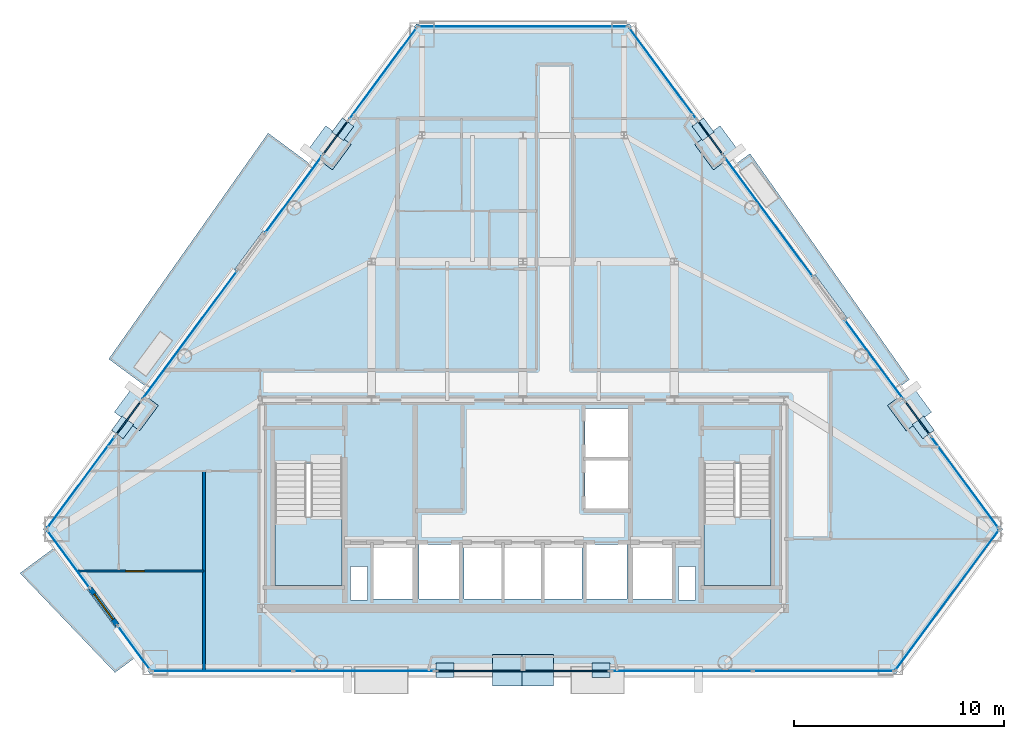
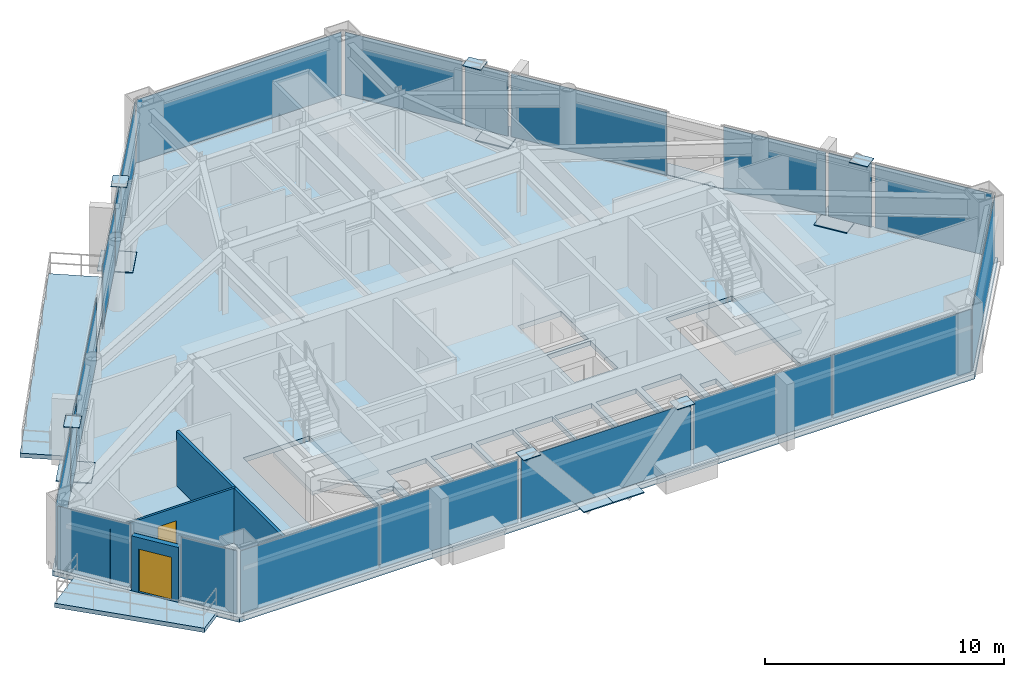
# One storey, part 6 of 11: 33 plates, 6 slabs, 3 walls, 2 doors, 2 openings, 21 elements without a shape of their own.
"""IFC4 building model written with IfcOpenShell, lengths in metres."""

from ifc_helpers import new_model, si_unit, direction, frame, frame_2d, origin, origin_2d, place, context, subcontext, project, spatial, polyline, rectangle, outline, extrude, source, transform, mapped, material, layer, layer_set, type_object, type_shapes, element, fill, aggregate, save


model = new_model("IFC4")

# Units and contexts
model_context = context("Model", 3, precision=1e-05, world=origin(), true_north=direction((0.0, 1.0)))
body_context = subcontext(model_context, "Body", "Model", "MODEL_VIEW")
ifc_project = project(units=[si_unit("LENGTHUNIT", "METRE"), si_unit("AREAUNIT", "SQUARE_METRE"), si_unit("VOLUMEUNIT", "CUBIC_METRE"), si_unit("PLANEANGLEUNIT", "RADIAN"), si_unit("MASSUNIT", "GRAM", prefix="KILO")], contexts=[model_context])

# Site, building, storey
site_placement = place(None, origin())
site = spatial("IfcSite", under=ifc_project, at=site_placement, CompositionType="ELEMENT")
building_placement = place(site_placement, origin())
building = spatial("IfcBuilding", under=site, at=building_placement, Name="Talgorran Terracotta Tower", CompositionType="ELEMENT")
storey_placement = place(building_placement, frame((0.0, 0.0, 150.89990234375)))
storey = spatial("IfcBuildingStorey", under=building, at=storey_placement, Name="L39", CompositionType="ELEMENT", Elevation=150.89990234375)

# Plates
ifc_material_1 = material(Name="Steel Grade 350 (350L0)", Category="steel")
ifc_layer_1 = layer(ifc_material_1, 0.035888671875, Name="PL_CAP_MN06")
ifc_layer_set_1 = layer_set([ifc_layer_1], Name="Steel Grade 350 (350L0)")
plate_type_1 = type_object("IfcPlateType", Name="PL_CAP_MN06", PredefinedType="USERDEFINED", material=ifc_layer_set_1)
for number, where, z_axis, x_axis, name in (
    (1, (-3.709716796875, -17.034423828125, 3.322265625), (0.0, 0.0, 1.0), (-1.0, 0.0, 0.0), "L39 Diagonal Frame End Cap SWF Top"),
    (2, (3.709716796875, -17.034423828125, 3.322265625), (0.0, 0.0, 1.0), (1.0, 0.0, 0.0), "L39 Diagonal Frame End Cap SEF Top"),
    (3, (19.037353515625, -5.48583984375, 3.322265625), (0.0, 0.0, 1.0), (0.593980663821, -0.804479316705, 0.0), "L39 Diagonal Frame End Cap NEL Top"),
    (4, (8.56640625, 8.6923828125, 3.322265625), (0.0, 0.0, 1.0), (-0.593980663821, 0.804479316705, 0.0), "L39 Diagonal Frame End Cap NEU Top"),
    (5, (-8.56640625, 8.6923828125, 3.322265625), (0.0, 0.0, 1.0), (0.593980663821, 0.804479316705, 0.0), "L39 Diagonal Frame End Cap NWU Top"),
    (6, (-19.037353515625, -5.48583984375, 3.322265625), (0.0, 0.0, 1.0), (-0.593980663821, -0.804479316705, 0.0), "L39 Diagonal Frame End Cap NWL Top"),
):
    element("IfcPlate", number, at=place(storey_placement, frame(where, z_axis=z_axis, x_axis=x_axis)), inside=storey, type_object=plate_type_1, Name=name, ObjectType="CAP PLATE", PredefinedType="USERDEFINED", context=body_context, shape_type="SweptSolid", body=[
        extrude(rectangle(XDim=0.840087890625, YDim=0.679931640625, at=origin_2d()), origin(), (0.0, 0.0, 1.0), 0.035888671875),
    ])
ifc_layer_2 = layer(ifc_material_1, 0.054931640625, Name="PL_NODE_MN02")
ifc_layer_set_2 = layer_set([ifc_layer_2], Name="Steel Grade 350 (350L0)")
plate_type_2 = type_object("IfcPlateType", Name="PL_NODE_MN02", PredefinedType="USERDEFINED", material=ifc_layer_set_2)
for number, where, z_axis, x_axis, name in (
    (7, (-0.70654296875, -17.034423828125, -0.017578125), (0.0, 0.0, 1.0), (-1.0, 0.0, 0.0), "L39 Diagonal Frame End Cap SWF Bot"),
    (8, (0.70654296875, -17.034423828125, -0.017578125), (0.0, 0.0, 1.0), (1.0, 0.0, 0.0), "L39 Diagonal Frame End Cap SEF Bot"),
    (9, (18.385009765625, -4.6025390625, -0.017578125), (0.0, 0.0, 1.0), (0.593980663821, -0.804479316705, 0.0), "L39 Diagonal Frame End Cap NEL Bot"),
    (10, (9.218505859375, 7.809326171875, -0.017578125), (0.0, 0.0, 1.0), (-0.593980663821, 0.804479316705, 0.0), "L39 Diagonal Frame End Cap NEU Bot"),
    (11, (-9.218505859375, 7.809326171875, -0.017578125), (0.0, 0.0, 1.0), (0.593980663821, 0.804479316705, 0.0), "L39 Diagonal Frame End Cap NWU Bot"),
    (12, (-18.385009765625, -4.6025390625, -0.017578125), (0.0, 0.0, 1.0), (-0.593980663821, -0.804479316705, 0.0), "L39 Diagonal Frame End Cap NWL Bot"),
):
    element("IfcPlate", number, at=place(storey_placement, frame(where, z_axis=z_axis, x_axis=x_axis)), inside=storey, type_object=plate_type_2, Name=name, ObjectType="NODE PLATE", PredefinedType="USERDEFINED", context=body_context, shape_type="SweptSolid", body=[
        extrude(rectangle(XDim=1.5, YDim=1.5, at=origin_2d()), origin(), (0.0, 0.0, 1.0), 0.054931640625),
    ])

# Slabs
ifc_material_2 = material(Name="Concrete C40/50", Category="concrete")
ifc_layer_3 = layer(ifc_material_2, 0.219970703125, Name="SL_BALCONY_220")
ifc_layer_set_3 = layer_set([ifc_layer_3], Name="Concrete C40/50")
slab_type_1 = type_object("IfcSlabType", Name="SL_BALCONY_220", PredefinedType="FLOOR", material=ifc_layer_set_3)
slab_1_placement = place(storey_placement, frame((0.0, 0.0, -0.219970703125)))
element("IfcSlab", 13, at=slab_1_placement, inside=storey, type_object=slab_type_1, Name="L39 Outdoor Wave Balcony BAL-NE", PredefinedType="FLOOR", context=body_context, shape_type="SweptSolid", body=[
    extrude(outline(polyline([(10.049560546875, 6.978759765625), (17.85791015625, -3.59423828125), (18.380615234375, -3.2080078125), (10.7998046875, 7.53271484375), (10.049560546875, 6.978759765625)])), origin(), (0.0, 0.0, 1.0), 0.219970703125),
])
slab_2_placement = place(storey_placement, frame((0.0, 0.0, -0.219970703125)))
element("IfcSlab", 14, at=slab_2_placement, inside=storey, type_object=slab_type_1, Name="L39 Outdoor Wave Balcony BAL-NW", PredefinedType="FLOOR", context=body_context, shape_type="SweptSolid", body=[
    extrude(outline(polyline([(-17.85791015625, -3.59423828125), (-10.049560546875, 6.978759765625), (-12.1171875, 8.505615234375), (-19.69775390625, -2.2353515625), (-17.85791015625, -3.59423828125)])), origin(), (0.0, 0.0, 1.0), 0.219970703125),
])
slab_3_placement = place(storey_placement, frame((0.0, 0.0, -0.219970703125)))
element("IfcSlab", 15, at=slab_3_placement, inside=storey, type_object=slab_type_1, Name="L39 Outdoor Wave Balcony BAL-SW", PredefinedType="FLOOR", context=body_context, shape_type="SweptSolid", body=[
    extrude(outline(polyline([(-18.3662109375, -16.379638671875), (-22.218505859375, -11.163818359375), (-23.918701171875, -12.419189453125), (-19.401611328125, -17.144287109375), (-18.3662109375, -16.379638671875)])), origin(), (0.0, 0.0, 1.0), 0.219970703125),
])

# Stair, slab
stair_type = type_object("IfcStairType", Name="ST_FIRE_SCISSOR", PredefinedType="HALF_TURN_STAIR", material=ifc_material_2)
stair_1_placement = place(storey_placement, origin())
stair_1 = element("IfcStair", 16, at=stair_1_placement, inside=storey, type_object=stair_type, Name="L39 West Protected Fire Stair ST-01", PredefinedType="HALF_TURN_STAIR")
ifc_layer_4 = layer(ifc_material_2, 0.199951171875, Name="SL_LANDING_200")
ifc_layer_set_4 = layer_set([ifc_layer_4], Name="Concrete C40/50")
slab_type_2 = type_object("IfcSlabType", Name="SL_LANDING_200", PredefinedType="LANDING", material=ifc_layer_set_4)
slab_4_placement = place(storey_placement, frame((0.0, 0.0, 1.60009765625)))
slab_4 = element("IfcSlab", 17, at=slab_4_placement, type_object=slab_type_2, Name="ST-01 landing 1", PredefinedType="LANDING", context=body_context, shape_type="SweptSolid", body=[
    extrude(outline(polyline([(-11.800048828125, -9.719970703125), (-11.800048828125, -13.0), (-8.60009765625, -13.0), (-8.60009765625, -9.719970703125), (-11.800048828125, -9.719970703125)])), origin(), (0.0, 0.0, 1.0), 0.199951171875),
])
aggregate(stair_1, [slab_4])

stair_2_placement = place(storey_placement, origin())
stair_2 = element("IfcStair", 18, at=stair_2_placement, inside=storey, type_object=stair_type, Name="L39 East Protected Fire Stair ST-02", PredefinedType="HALF_TURN_STAIR")
slab_5_placement = place(storey_placement, frame((0.0, 0.0, 1.60009765625)))
slab_5 = element("IfcSlab", 19, at=slab_5_placement, type_object=slab_type_2, Name="ST-02 landing 1", PredefinedType="LANDING", context=body_context, shape_type="SweptSolid", body=[
    extrude(outline(polyline([(8.60009765625, -9.719970703125), (8.60009765625, -13.0), (11.800048828125, -13.0), (11.800048828125, -9.719970703125), (8.60009765625, -9.719970703125)])), origin(), (0.0, 0.0, 1.0), 0.199951171875),
])
aggregate(stair_2, [slab_5])

# Slab
ifc_layer_5 = layer(ifc_material_2, 0.25, Name="SL_TOWER_250")
ifc_layer_set_5 = layer_set([ifc_layer_5], Name="Concrete C40/50")
slab_type_3 = type_object("IfcSlabType", Name="SL_TOWER_250", PredefinedType="FLOOR", material=ifc_layer_set_5)
slab_6_placement = place(storey_placement, frame((0.0, 0.0, -0.25)))
element("IfcSlab", 20, at=slab_6_placement, inside=storey, type_object=slab_type_3, Name="Storey L39 Structural Floor Slab", PredefinedType="FLOOR", context=body_context, shape_type="SweptSolid", body=[
    extrude(outline(polyline([(-22.814697265625, -10.331298828125), (-17.74609375, -17.1943359375), (17.74609375, -17.1943359375), (22.814697265625, -10.331298828125), (5.068603515625, 13.697998046875), (-5.068603515625, 13.697998046875), (-22.814697265625, -10.331298828125)]), holes=[polyline([(-11.800048828125, -7.199951171875), (-11.800048828125, -13.0), (-8.60009765625, -13.0), (-8.60009765625, -7.199951171875), (-11.800048828125, -7.199951171875)]), polyline([(8.60009765625, -7.199951171875), (8.60009765625, -13.0), (11.800048828125, -13.0), (11.800048828125, -7.199951171875), (8.60009765625, -7.199951171875)]), polyline([(-7.10009765625, -13.64990234375), (-5.199951171875, -13.64990234375), (-5.199951171875, -11.050048828125), (-7.10009765625, -11.050048828125), (-7.10009765625, -13.64990234375)]), polyline([(5.199951171875, -13.64990234375), (7.10009765625, -13.64990234375), (7.10009765625, -11.050048828125), (5.199951171875, -11.050048828125), (5.199951171875, -13.64990234375)]), polyline([(3.0, -13.64990234375), (4.949951171875, -13.64990234375), (4.949951171875, -11.050048828125), (3.0, -11.050048828125), (3.0, -13.64990234375)]), polyline([(-4.949951171875, -13.64990234375), (-3.0, -13.64990234375), (-3.0, -11.050048828125), (-4.949951171875, -11.050048828125), (-4.949951171875, -13.64990234375)]), polyline([(2.949951171875, -9.35009765625), (5.050048828125, -9.35009765625), (5.050048828125, -7.050048828125), (2.949951171875, -7.050048828125), (2.949951171875, -9.35009765625)]), polyline([(2.949951171875, -6.89990234375), (5.050048828125, -6.89990234375), (5.050048828125, -4.60009765625), (2.949951171875, -4.60009765625), (2.949951171875, -6.89990234375)]), polyline([(-2.800048828125, -13.64990234375), (-1.0, -13.64990234375), (-1.0, -11.050048828125), (-2.800048828125, -11.050048828125), (-2.800048828125, -13.64990234375)]), polyline([(-0.89990234375, -13.64990234375), (0.89990234375, -13.64990234375), (0.89990234375, -11.050048828125), (-0.89990234375, -11.050048828125), (-0.89990234375, -13.64990234375)]), polyline([(1.0, -13.64990234375), (2.800048828125, -13.64990234375), (2.800048828125, -11.050048828125), (1.0, -11.050048828125), (1.0, -13.64990234375)]), polyline([(-8.199951171875, -13.699951171875), (-7.39990234375, -13.699951171875), (-7.39990234375, -12.10009765625), (-8.199951171875, -12.10009765625), (-8.199951171875, -13.699951171875)]), polyline([(7.39990234375, -13.699951171875), (8.199951171875, -13.699951171875), (8.199951171875, -12.10009765625), (7.39990234375, -12.10009765625), (7.39990234375, -13.699951171875)])]), origin(), (0.0, 0.0, 1.0), 0.25),
])

# Curtain wall, plate
ifc_material_3 = material(Name="Unitised Low-E Double Glazing", Category="glass")
ifc_layer_6 = layer(ifc_material_3, 0.199951171875, Name="CW_SYS2_RES_LOW")
ifc_layer_set_6 = layer_set([ifc_layer_6], Name="Unitised Low-E Double Glazing")
curtain_wall_type = type_object("IfcCurtainWallType", Name="CW_SYS2_RES_LOW", PredefinedType="NOTDEFINED", material=ifc_layer_set_6)
curtain_wall_1_placement = place(storey_placement, origin())
curtain_wall_1 = element("IfcCurtainWall", 21, at=curtain_wall_1_placement, inside=storey, type_object=curtain_wall_type, Name="CW-L39-F10", PredefinedType="NOTDEFINED")
ifc_material_4 = material(Name="Low-E Laminated Vision Glass", Category="glass")
ifc_layer_7 = layer(ifc_material_4, 0.028076171875, Name="PLT_VISION_28")
ifc_layer_set_7 = layer_set([ifc_layer_7], Name="Low-E Laminated Vision Glass")
plate_type_3 = type_object("IfcPlateType", Name="PLT_VISION_28", PredefinedType="CURTAIN_PANEL", material=ifc_layer_set_7)
shared_shape_1 = source(origin(), body_context, "Body", "SweptSolid", [
    extrude(rectangle(XDim=3.335693359375, YDim=0.028076171875, at=origin_2d()), origin(), (0.0, 0.0, 1.0), 3.219970703125),
])
plate_1_placement = place(storey_placement, frame((-21.6123046875, -11.75732421875, 0.06494140625), z_axis=(0.0, 0.0, 1.0), x_axis=(0.594069742369, -0.804413538674, 0.0)))
plate_1 = element("IfcPlate", 22, at=plate_1_placement, type_object=plate_type_3, Name="CW-L39-10 panel 1.1", PredefinedType="CURTAIN_PANEL", context=body_context, shape_type="MappedRepresentation", body=[
    mapped(shared_shape_1, transform((0.0, 0.0, 0.0), scale=1.0)),
])
aggregate(curtain_wall_1, [plate_1])

curtain_wall_2_placement = place(storey_placement, origin())
curtain_wall_2 = element("IfcCurtainWall", 23, at=curtain_wall_2_placement, inside=storey, type_object=curtain_wall_type, Name="CW-L39-F11", PredefinedType="NOTDEFINED")
shared_shape_2 = source(origin(), body_context, "Body", "SweptSolid", [
    extrude(rectangle(XDim=2.546875, YDim=0.028076171875, at=origin_2d()), origin(), (0.0, 0.0, 1.0), 3.219970703125),
])
plate_2_placement = place(storey_placement, frame((-18.50439453125, -15.965576171875, 0.06494140625), z_axis=(0.0, 0.0, 1.0), x_axis=(0.594066457167, -0.804415964827, 0.0)))
plate_2 = element("IfcPlate", 24, at=plate_2_placement, type_object=plate_type_3, Name="CW-L39-11 panel 1.1", PredefinedType="CURTAIN_PANEL", context=body_context, shape_type="MappedRepresentation", body=[
    mapped(shared_shape_2, transform((0.0, 0.0, 0.0), scale=1.0)),
])
aggregate(curtain_wall_2, [plate_2])

curtain_wall_3_placement = place(storey_placement, origin())
curtain_wall_3 = element("IfcCurtainWall", 25, at=curtain_wall_3_placement, inside=storey, type_object=curtain_wall_type, Name="CW-L39-F2", PredefinedType="NOTDEFINED")
shared_shape_3 = source(origin(), body_context, "Body", "SweptSolid", [
    extrude(rectangle(XDim=8.2529296875, YDim=0.028076171875, at=origin_2d()), origin(), (0.0, 0.0, 1.0), 3.219970703125),
])
plate_3_placement = place(storey_placement, frame((20.175537109375, -13.702880859375, 0.06494140625), z_axis=(0.0, 0.0, 1.0), x_axis=(0.594082099689, 0.804404412487, 0.0)))
plate_3 = element("IfcPlate", 26, at=plate_3_placement, type_object=plate_type_3, Name="CW-L39-2 panel 1.1", PredefinedType="CURTAIN_PANEL", context=body_context, shape_type="MappedRepresentation", body=[
    mapped(shared_shape_3, transform((0.0, 0.0, 0.0), scale=1.0)),
])
aggregate(curtain_wall_3, [plate_3])

curtain_wall_4_placement = place(storey_placement, origin())
curtain_wall_4 = element("IfcCurtainWall", 27, at=curtain_wall_4_placement, inside=storey, type_object=curtain_wall_type, Name="CW-L39-F4", PredefinedType="NOTDEFINED")
shared_shape_4 = source(origin(), body_context, "Body", "SweptSolid", [
    extrude(rectangle(XDim=9.885986328125, YDim=0.028076171875, at=origin_2d()), origin(), (0.0, 0.0, 1.0), 3.219970703125),
])
plate_4_placement = place(storey_placement, frame((0.0, 13.577880859375, 0.06494140625), z_axis=(0.0, 0.0, 1.0), x_axis=(-1.0, 0.0, 0.0)))
plate_4 = element("IfcPlate", 28, at=plate_4_placement, type_object=plate_type_3, Name="CW-L39-4 panel 1.1", PredefinedType="CURTAIN_PANEL", context=body_context, shape_type="MappedRepresentation", body=[
    mapped(shared_shape_4, transform((0.0, 0.0, 0.0), scale=1.0)),
])
aggregate(curtain_wall_4, [plate_4])

# Curtain wall, plates
curtain_wall_5_placement = place(storey_placement, origin())
curtain_wall_5 = element("IfcCurtainWall", 29, at=curtain_wall_5_placement, inside=storey, type_object=curtain_wall_type, Name="CW-L39-F1", PredefinedType="NOTDEFINED")
shared_shape_5 = source(origin(), body_context, "Body", "SweptSolid", [
    extrude(rectangle(XDim=6.662353515625, YDim=0.028076171875, at=origin_2d()), origin(), (0.0, 0.0, 1.0), 3.219970703125),
])
plate_5_placement = place(storey_placement, frame((-14.289306640625, -17.074462890625, 0.06494140625), z_axis=(0.0, 0.0, 1.0), x_axis=(1.0, 0.0, 0.0)))
plate_5 = element("IfcPlate", 30, at=plate_5_placement, type_object=plate_type_3, Name="CW-L39-1 panel 1.1", PredefinedType="CURTAIN_PANEL", context=body_context, shape_type="MappedRepresentation", body=[
    mapped(shared_shape_5, transform((0.0, 0.0, 0.0), scale=1.0)),
])
plate_6_placement = place(storey_placement, frame((-7.561767578125, -17.074462890625, 0.06494140625), z_axis=(0.0, 0.0, 1.0), x_axis=(1.0, 0.0, 0.0)))
plate_6 = element("IfcPlate", 31, at=plate_6_placement, type_object=plate_type_3, Name="CW-L39-1 panel 2.1", PredefinedType="CURTAIN_PANEL", context=body_context, shape_type="MappedRepresentation", body=[
    mapped(shared_shape_5, transform((0.0, 0.0, 0.0), scale=1.0)),
])
aggregate(curtain_wall_5, [plate_5, plate_6])

curtain_wall_6_placement = place(storey_placement, origin())
curtain_wall_6 = element("IfcCurtainWall", 32, at=curtain_wall_6_placement, inside=storey, type_object=curtain_wall_type, Name="CW-L39-F1C", PredefinedType="NOTDEFINED")
plate_7_placement = place(storey_placement, frame((7.561767578125, -17.074462890625, 0.06494140625), z_axis=(0.0, 0.0, 1.0), x_axis=(1.0, 0.0, 0.0)))
plate_7 = element("IfcPlate", 33, at=plate_7_placement, type_object=plate_type_3, Name="CW-L39-1C panel 1.1", PredefinedType="CURTAIN_PANEL", context=body_context, shape_type="MappedRepresentation", body=[
    mapped(shared_shape_5, transform((0.0, 0.0, 0.0), scale=1.0)),
])
plate_8_placement = place(storey_placement, frame((14.289306640625, -17.074462890625, 0.06494140625), z_axis=(0.0, 0.0, 1.0), x_axis=(1.0, 0.0, 0.0)))
plate_8 = element("IfcPlate", 34, at=plate_8_placement, type_object=plate_type_3, Name="CW-L39-1C panel 2.1", PredefinedType="CURTAIN_PANEL", context=body_context, shape_type="MappedRepresentation", body=[
    mapped(shared_shape_5, transform((0.0, 0.0, 0.0), scale=1.0)),
])
aggregate(curtain_wall_6, [plate_7, plate_8])

# Curtain wall, plate
curtain_wall_7_placement = place(storey_placement, origin())
curtain_wall_7 = element("IfcCurtainWall", 35, at=curtain_wall_7_placement, inside=storey, type_object=curtain_wall_type, Name="CW-L39-F1B", PredefinedType="NOTDEFINED")
ifc_material_5 = material(Name="Terracotta Insulated Spandrel", Category="masonry")
ifc_layer_8 = layer(ifc_material_5, 0.06494140625, Name="PLT_SPANDREL_TERRA")
ifc_layer_set_8 = layer_set([ifc_layer_8], Name="Terracotta Insulated Spandrel")
plate_type_4 = type_object("IfcPlateType", Name="PLT_SPANDREL_TERRA", PredefinedType="SHEET", material=ifc_layer_set_8)
shared_shape_6 = source(origin(), body_context, "Body", "SweptSolid", [
    extrude(rectangle(XDim=8.181396484375, YDim=0.06494140625, at=origin_2d()), origin(), (0.0, 0.0, 1.0), 3.219970703125),
])
plate_9_placement = place(storey_placement, frame((0.0, -17.074462890625, 0.06494140625), z_axis=(0.0, 0.0, 1.0), x_axis=(1.0, 0.0, 0.0)))
plate_9 = element("IfcPlate", 36, at=plate_9_placement, type_object=plate_type_4, Name="CW-L39-1B panel 1.1", PredefinedType="CURTAIN_PANEL", context=body_context, shape_type="MappedRepresentation", body=[
    mapped(shared_shape_6, transform((0.0, 0.0, 0.0), scale=1.0)),
])
aggregate(curtain_wall_7, [plate_9])

curtain_wall_8_placement = place(storey_placement, origin())
curtain_wall_8 = element("IfcCurtainWall", 37, at=curtain_wall_8_placement, inside=storey, type_object=curtain_wall_type, Name="CW-L39-F40", PredefinedType="NOTDEFINED")
shared_shape_7 = source(origin(), body_context, "Body", "SweptSolid", [
    extrude(rectangle(XDim=5.354736328125, YDim=0.028076171875, at=origin_2d()), origin(), (0.0, 0.0, 1.0), 3.219970703125),
])
plate_10_placement = place(storey_placement, frame((21.012451171875, -8.093017578125, 0.06494140625), z_axis=(0.0, 0.0, 1.0), x_axis=(-0.594076245045, 0.804408736323, 0.0)))
plate_10 = element("IfcPlate", 38, at=plate_10_placement, type_object=plate_type_3, Name="CW-L39-40 panel 1.1", PredefinedType="CURTAIN_PANEL", context=body_context, shape_type="MappedRepresentation", body=[
    mapped(shared_shape_7, transform((0.0, 0.0, 0.0), scale=1.0)),
])
aggregate(curtain_wall_8, [plate_10])

curtain_wall_9_placement = place(storey_placement, origin())
curtain_wall_9 = element("IfcCurtainWall", 39, at=curtain_wall_9_placement, inside=storey, type_object=curtain_wall_type, Name="CW-L39-F61C", PredefinedType="NOTDEFINED")
plate_11_placement = place(storey_placement, frame((-21.012451171875, -8.093017578125, 0.06494140625), z_axis=(0.0, 0.0, 1.0), x_axis=(-0.594076245045, -0.804408736323, 0.0)))
plate_11 = element("IfcPlate", 40, at=plate_11_placement, type_object=plate_type_3, Name="CW-L39-61C panel 1.1", PredefinedType="CURTAIN_PANEL", context=body_context, shape_type="MappedRepresentation", body=[
    mapped(shared_shape_7, transform((0.0, 0.0, 0.0), scale=1.0)),
])
aggregate(curtain_wall_9, [plate_11])

curtain_wall_10_placement = place(storey_placement, origin())
curtain_wall_10 = element("IfcCurtainWall", 41, at=curtain_wall_10_placement, inside=storey, type_object=curtain_wall_type, Name="CW-L39-F40B", PredefinedType="NOTDEFINED")
shared_shape_8 = source(origin(), body_context, "Body", "SweptSolid", [
    extrude(rectangle(XDim=1.957275390625, YDim=0.06494140625, at=origin_2d()), origin(), (0.0, 0.0, 1.0), 3.219970703125),
])
type_shapes(plate_type_4, [shared_shape_6, shared_shape_8])
plate_12_placement = place(storey_placement, frame((18.757568359375, -5.03955078125, 0.06494140625), z_axis=(0.0, 0.0, 1.0), x_axis=(-0.594089289886, 0.804399102214, 0.0)))
plate_12 = element("IfcPlate", 42, at=plate_12_placement, type_object=plate_type_4, Name="CW-L39-40B panel 1.1", PredefinedType="CURTAIN_PANEL", context=body_context, shape_type="MappedRepresentation", body=[
    mapped(shared_shape_8, transform((0.0, 0.0, 0.0), scale=1.0)),
])
aggregate(curtain_wall_10, [plate_12])

curtain_wall_11_placement = place(storey_placement, origin())
curtain_wall_11 = element("IfcCurtainWall", 43, at=curtain_wall_11_placement, inside=storey, type_object=curtain_wall_type, Name="CW-L39-F41B", PredefinedType="NOTDEFINED")
plate_13_placement = place(storey_placement, frame((8.910400390625, 8.293701171875, 0.06494140625), z_axis=(0.0, 0.0, 1.0), x_axis=(-0.594081184818, 0.804405088152, 0.0)))
plate_13 = element("IfcPlate", 44, at=plate_13_placement, type_object=plate_type_4, Name="CW-L39-41B panel 1.1", PredefinedType="CURTAIN_PANEL", context=body_context, shape_type="MappedRepresentation", body=[
    mapped(shared_shape_8, transform((0.0, 0.0, 0.0), scale=1.0)),
])
aggregate(curtain_wall_11, [plate_13])

curtain_wall_12_placement = place(storey_placement, origin())
curtain_wall_12 = element("IfcCurtainWall", 45, at=curtain_wall_12_placement, inside=storey, type_object=curtain_wall_type, Name="CW-L39-F60B", PredefinedType="NOTDEFINED")
plate_14_placement = place(storey_placement, frame((-8.910400390625, 8.293701171875, 0.06494140625), z_axis=(0.0, 0.0, 1.0), x_axis=(-0.594081184818, -0.804405088152, 0.0)))
plate_14 = element("IfcPlate", 46, at=plate_14_placement, type_object=plate_type_4, Name="CW-L39-60B panel 1.1", PredefinedType="CURTAIN_PANEL", context=body_context, shape_type="MappedRepresentation", body=[
    mapped(shared_shape_8, transform((0.0, 0.0, 0.0), scale=1.0)),
])
aggregate(curtain_wall_12, [plate_14])

curtain_wall_13_placement = place(storey_placement, origin())
curtain_wall_13 = element("IfcCurtainWall", 47, at=curtain_wall_13_placement, inside=storey, type_object=curtain_wall_type, Name="CW-L39-F61B", PredefinedType="NOTDEFINED")
plate_15_placement = place(storey_placement, frame((-18.757568359375, -5.03955078125, 0.06494140625), z_axis=(0.0, 0.0, 1.0), x_axis=(-0.594089289886, -0.804399102214, 0.0)))
plate_15 = element("IfcPlate", 48, at=plate_15_placement, type_object=plate_type_4, Name="CW-L39-61B panel 1.1", PredefinedType="CURTAIN_PANEL", context=body_context, shape_type="MappedRepresentation", body=[
    mapped(shared_shape_8, transform((0.0, 0.0, 0.0), scale=1.0)),
])
aggregate(curtain_wall_13, [plate_15])

curtain_wall_14_placement = place(storey_placement, origin())
curtain_wall_14 = element("IfcCurtainWall", 49, at=curtain_wall_14_placement, inside=storey, type_object=curtain_wall_type, Name="CW-L39-F40C", PredefinedType="NOTDEFINED")
shared_shape_9 = source(origin(), body_context, "Body", "SweptSolid", [
    extrude(rectangle(XDim=4.66845703125, YDim=0.028076171875, at=origin_2d()), origin(), (0.0, 0.0, 1.0), 3.219970703125),
])
plate_16_placement = place(storey_placement, frame((16.7060546875, -2.261962890625, 0.06494140625), z_axis=(0.0, 0.0, 1.0), x_axis=(-0.594075185379, 0.804409518912, 0.0)))
plate_16 = element("IfcPlate", 50, at=plate_16_placement, type_object=plate_type_3, Name="CW-L39-40C panel 1.1", PredefinedType="CURTAIN_PANEL", context=body_context, shape_type="MappedRepresentation", body=[
    mapped(shared_shape_9, transform((0.0, 0.0, 0.0), scale=1.0)),
])
aggregate(curtain_wall_14, [plate_16])

curtain_wall_15_placement = place(storey_placement, origin())
curtain_wall_15 = element("IfcCurtainWall", 51, at=curtain_wall_15_placement, inside=storey, type_object=curtain_wall_type, Name="CW-L39-F41", PredefinedType="NOTDEFINED")
shared_shape_10 = source(origin(), body_context, "Body", "SweptSolid", [
    extrude(rectangle(XDim=7.079345703125, YDim=0.028076171875, at=origin_2d()), origin(), (0.0, 0.0, 1.0), 3.219970703125),
])
plate_17_placement = place(storey_placement, frame((11.677978515625, 4.54638671875, 0.06494140625), z_axis=(0.0, 0.0, 1.0), x_axis=(-0.594073545848, 0.804410729742, 0.0)))
plate_17 = element("IfcPlate", 52, at=plate_17_placement, type_object=plate_type_3, Name="CW-L39-41 panel 1.1", PredefinedType="CURTAIN_PANEL", context=body_context, shape_type="MappedRepresentation", body=[
    mapped(shared_shape_10, transform((0.0, 0.0, 0.0), scale=1.0)),
])
aggregate(curtain_wall_15, [plate_17])

curtain_wall_16_placement = place(storey_placement, origin())
curtain_wall_16 = element("IfcCurtainWall", 53, at=curtain_wall_16_placement, inside=storey, type_object=curtain_wall_type, Name="CW-L39-F41C", PredefinedType="NOTDEFINED")
shared_shape_11 = source(origin(), body_context, "Body", "SweptSolid", [
    extrude(rectangle(XDim=5.345458984375, YDim=0.028076171875, at=origin_2d()), origin(), (0.0, 0.0, 1.0), 3.219970703125),
])
plate_18_placement = place(storey_placement, frame((6.658203125, 11.343505859375, 0.06494140625), z_axis=(0.0, 0.0, 1.0), x_axis=(-0.594080846957, 0.804405337674, 0.0)))
plate_18 = element("IfcPlate", 54, at=plate_18_placement, type_object=plate_type_3, Name="CW-L39-41C panel 1.1", PredefinedType="CURTAIN_PANEL", context=body_context, shape_type="MappedRepresentation", body=[
    mapped(shared_shape_11, transform((0.0, 0.0, 0.0), scale=1.0)),
])
aggregate(curtain_wall_16, [plate_18])

curtain_wall_17_placement = place(storey_placement, origin())
curtain_wall_17 = element("IfcCurtainWall", 55, at=curtain_wall_17_placement, inside=storey, type_object=curtain_wall_type, Name="CW-L39-F60", PredefinedType="NOTDEFINED")
plate_19_placement = place(storey_placement, frame((-6.658203125, 11.343505859375, 0.06494140625), z_axis=(0.0, 0.0, 1.0), x_axis=(-0.594080846957, -0.804405337674, 0.0)))
plate_19 = element("IfcPlate", 56, at=plate_19_placement, type_object=plate_type_3, Name="CW-L39-60 panel 1.1", PredefinedType="CURTAIN_PANEL", context=body_context, shape_type="MappedRepresentation", body=[
    mapped(shared_shape_11, transform((0.0, 0.0, 0.0), scale=1.0)),
])
aggregate(curtain_wall_17, [plate_19])

curtain_wall_18_placement = place(storey_placement, origin())
curtain_wall_18 = element("IfcCurtainWall", 57, at=curtain_wall_18_placement, inside=storey, type_object=curtain_wall_type, Name="CW-L39-F60C", PredefinedType="NOTDEFINED")
shared_shape_12 = source(origin(), body_context, "Body", "SweptSolid", [
    extrude(rectangle(XDim=4.49072265625, YDim=0.028076171875, at=origin_2d()), origin(), (0.0, 0.0, 1.0), 3.219970703125),
])
plate_20_placement = place(storey_placement, frame((-10.908935546875, 5.587646484375, 0.06494140625), z_axis=(0.0, 0.0, 1.0), x_axis=(-0.594076422477, -0.804408605285, 0.0)))
plate_20 = element("IfcPlate", 58, at=plate_20_placement, type_object=plate_type_3, Name="CW-L39-60C panel 1.1", PredefinedType="CURTAIN_PANEL", context=body_context, shape_type="MappedRepresentation", body=[
    mapped(shared_shape_12, transform((0.0, 0.0, 0.0), scale=1.0)),
])
aggregate(curtain_wall_18, [plate_20])

curtain_wall_19_placement = place(storey_placement, origin())
curtain_wall_19 = element("IfcCurtainWall", 59, at=curtain_wall_19_placement, inside=storey, type_object=curtain_wall_type, Name="CW-L39-F61", PredefinedType="NOTDEFINED")
shared_shape_13 = source(origin(), body_context, "Body", "SweptSolid", [
    extrude(rectangle(XDim=7.55712890625, YDim=0.028076171875, at=origin_2d()), origin(), (0.0, 0.0, 1.0), 3.219970703125),
])
type_shapes(plate_type_3, [shared_shape_1, shared_shape_2, shared_shape_3, shared_shape_4, shared_shape_5, shared_shape_7, shared_shape_9, shared_shape_10, shared_shape_11, shared_shape_12, shared_shape_13])
plate_21_placement = place(storey_placement, frame((-15.84814453125, -1.10009765625, 0.06494140625), z_axis=(0.0, 0.0, 1.0), x_axis=(-0.594078642975, -0.804406965386, 0.0)))
plate_21 = element("IfcPlate", 60, at=plate_21_placement, type_object=plate_type_3, Name="CW-L39-61 panel 1.1", PredefinedType="CURTAIN_PANEL", context=body_context, shape_type="MappedRepresentation", body=[
    mapped(shared_shape_13, transform((0.0, 0.0, 0.0), scale=1.0)),
])
aggregate(curtain_wall_19, [plate_21])

# Wall, opening, door
ifc_layer_9 = layer(ifc_material_2, 0.239990234375, Name="WT_BALCONY_SPAND")
ifc_layer_set_9 = layer_set([ifc_layer_9], Name="Concrete C40/50")
wall_type_1 = type_object("IfcWallType", Name="WT_BALCONY_SPAND", PredefinedType="STANDARD", material=ifc_layer_set_9)
wall_1_placement = place(storey_placement, frame((-20.576904296875, -13.1591796875, -0.014892578125), z_axis=(0.0, 0.0, 1.0), x_axis=(0.59407028248, -0.804413139794, 0.0)))
wall_1 = element("IfcWall", 61, at=wall_1_placement, inside=storey, type_object=wall_type_1, Name="WL-L39-BALP-BAL-SW", PredefinedType="STANDARD", context=body_context, shape_type="SweptSolid", body=[
    extrude(rectangle(XDim=2.140380859375, YDim=0.239990234375, at=frame_2d((1.0703125, 0.0))), origin(), (0.0, 0.0, 1.0), 2.806884765625),
])
opening_1_placement = place(wall_1_placement, frame((0.320068359375, 0.0, 0.014892578125)))
opening_1 = element("IfcOpeningElement", 62, at=opening_1_placement, cuts=wall_1, Name="Opening D-BAL-L39-3", PredefinedType="OPENING", context=body_context, shape_type="SweptSolid", body=[
    extrude(rectangle(XDim=1.506, YDim=2.203951171875, at=frame_2d((0.75, 1.10205078125))), frame((0.0, 0.1298828125, 0.0), z_axis=(0.0, -1.0, 0.0), x_axis=(1.0, 0.0, 0.0)), (0.0, 0.0, 1.0), 0.260009765625),
])
ifc_material_6 = material(Name="Thermally Broken Aluminium", Category="aluminium")
door_type_1 = type_object("IfcDoorType", Name="DT_BALC_1500", OperationType="SLIDING_TO_RIGHT", PredefinedType="DOOR", material=ifc_material_6)
door_1_placement = place(opening_1_placement, origin())
door_1 = element("IfcDoor", 63, at=door_1_placement, inside=storey, type_object=door_type_1, Name="DR-L39-BAL-BAL-SW", OperationType="SLIDING_TO_RIGHT", OverallHeight=2.199951171875, OverallWidth=1.5, PredefinedType="DOOR", context=body_context, shape_type="SweptSolid", body=[
    extrude(rectangle(XDim=1.5, YDim=2.199951171875, at=frame_2d((0.75, 1.10009765625))), frame((0.0, 0.02490234375, 0.0), z_axis=(0.0, -1.0, 0.0), x_axis=(1.0, 0.0, 0.0)), (0.0, 0.0, 1.0), 0.050048828125),
])
fill(opening_1, door_1)

ifc_material_7 = material(Name="Lightweight Steel Stud Partition", Category="steel")
ifc_layer_10 = layer(ifc_material_7, 0.10498046875, Name="WT_PART_110")
ifc_layer_set_10 = layer_set([ifc_layer_10], Name="Lightweight Steel Stud Partition")
wall_type_2 = type_object("IfcWallType", Name="WT_PART_110", PredefinedType="PARTITIONING", material=ifc_layer_set_10)
wall_2_placement = place(storey_placement, frame((-21.19677734375, -12.320068359375, 0.0), z_axis=(0.0, 0.0, 1.0), x_axis=(1.0, 0.0, 0.0)))
wall_2 = element("IfcWall", 64, at=wall_2_placement, inside=storey, type_object=wall_type_2, Name="WL-L39-W-L39-R20", PredefinedType="PARTITIONING", context=body_context, shape_type="SweptSolid", body=[
    extrude(rectangle(XDim=6.036865234375, YDim=0.10498046875, at=frame_2d((3.0185546875, 0.0))), origin(), (0.0, 0.0, 1.0), 2.7919921875),
])
opening_2_placement = place(wall_2_placement, frame((2.31298828125, 0.0, 0.0)))
opening_2 = element("IfcOpeningElement", 65, at=opening_2_placement, cuts=wall_2, Name="Opening DR-L39-R03", PredefinedType="OPENING", context=body_context, shape_type="SweptSolid", body=[
    extrude(rectangle(XDim=0.8858828125, YDim=2.10409765625, at=frame_2d((0.43994140625, 1.052001953125))), frame((0.0, 0.0625, 0.0), z_axis=(0.0, -1.0, 0.0), x_axis=(1.0, 0.0, 0.0)), (0.0, 0.0, 1.0), 0.125),
])
ifc_material_8 = material(Name="Solid-Core Painted Timber", Category="wood")
door_type_2 = type_object("IfcDoorType", Name="DT_INT_880", OperationType="NOTDEFINED", PredefinedType="DOOR", material=ifc_material_8)
door_2_placement = place(opening_2_placement, origin())
door_2 = element("IfcDoor", 66, at=door_2_placement, inside=storey, type_object=door_type_2, Name="DR-L39-R03", OperationType="SINGLE_SWING_LEFT", OverallHeight=2.10009765625, OverallWidth=0.8798828125, PredefinedType="DOOR", context=body_context, shape_type="SweptSolid", body=[
    extrude(rectangle(XDim=0.8798828125, YDim=2.10009765625, at=frame_2d((0.43994140625, 1.050048828125))), frame((0.0, 0.02490234375, 0.0), z_axis=(0.0, -1.0, 0.0), x_axis=(1.0, 0.0, 0.0)), (0.0, 0.0, 1.0), 0.050048828125),
])
fill(opening_2, door_2)

# Wall
ifc_material_9 = material(Name="Moisture-Resistant Stud Wall")
ifc_layer_11 = layer(ifc_material_9, 0.135009765625, Name="WT_PART_135")
ifc_layer_set_11 = layer_set([ifc_layer_11], Name="Moisture-Resistant Stud Wall")
wall_type_3 = type_object("IfcWallType", Name="WT_PART_135", PredefinedType="PARTITIONING", material=ifc_layer_set_11)
wall_3_placement = place(storey_placement, frame((-15.159912109375, -17.074462890625, 0.0), z_axis=(0.0, 0.0, 1.0), x_axis=(0.0, 1.0, 0.0)))
element("IfcWall", 67, at=wall_3_placement, inside=storey, type_object=wall_type_3, Name="WL-L39-W-L39-R19", PredefinedType="PARTITIONING", context=body_context, shape_type="SweptSolid", body=[
    extrude(rectangle(XDim=9.514404296875, YDim=0.135009765625, at=frame_2d((4.75732421875, 0.0))), origin(), (0.0, 0.0, 1.0), 2.7919921875),
])

save(model, "model.ifc")
